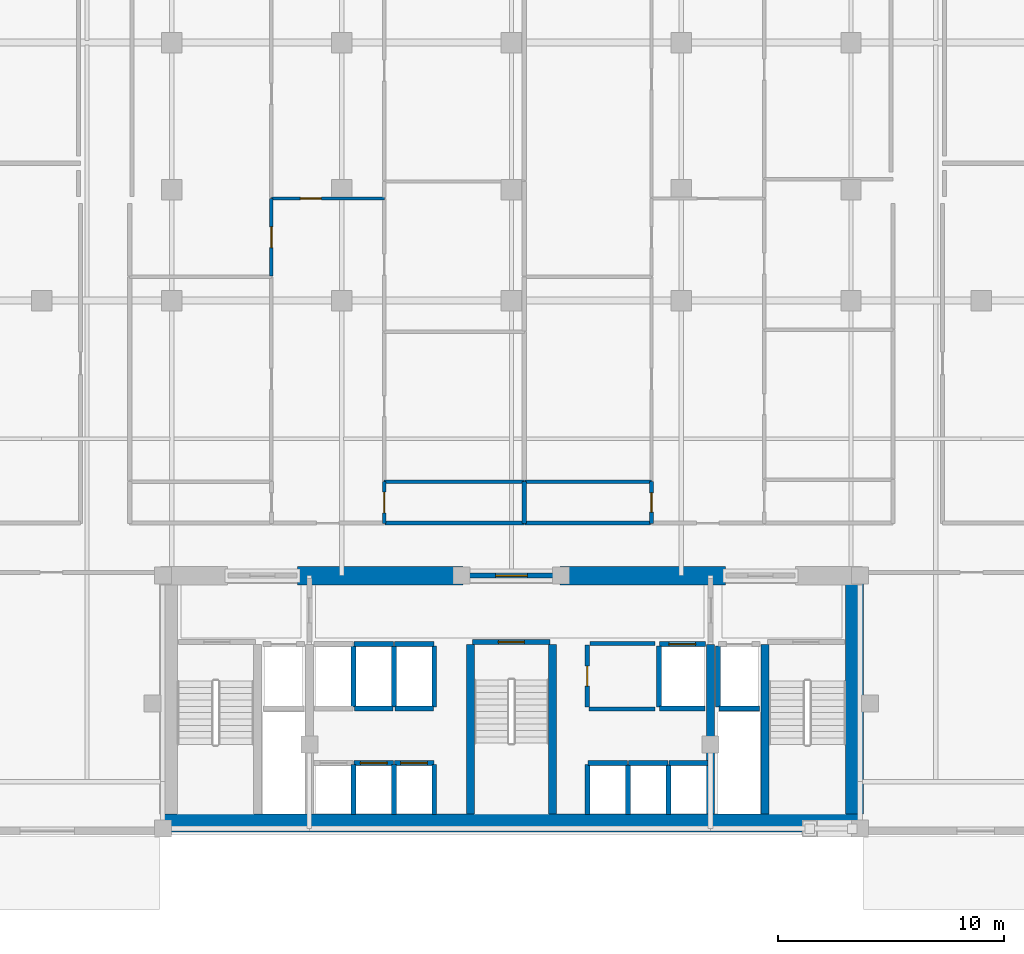
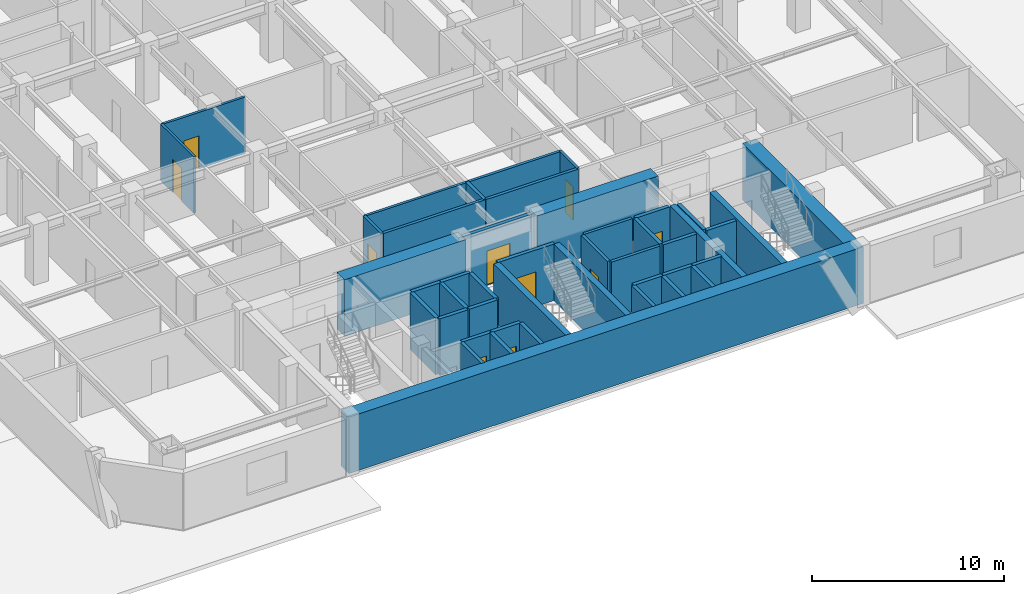
# One storey, part 6 of 11: 45 walls, 10 doors, 10 openings.
"""IFC4 building model written with IfcOpenShell, lengths in metres."""

from ifc_helpers import new_model, si_unit, direction, frame, frame_2d, origin, place, context, subcontext, project, spatial, rectangle, extrude, material, layer, layer_set, type_object, element, fill, save


model = new_model("IFC4")

# Units and contexts
model_context = context("Model", 3, precision=1e-05, world=origin(), true_north=direction((0.0, 1.0)))
body_context = subcontext(model_context, "Body", "Model", "MODEL_VIEW")
ifc_project = project(units=[si_unit("LENGTHUNIT", "METRE"), si_unit("AREAUNIT", "SQUARE_METRE"), si_unit("VOLUMEUNIT", "CUBIC_METRE"), si_unit("PLANEANGLEUNIT", "RADIAN"), si_unit("MASSUNIT", "GRAM", prefix="KILO")], contexts=[model_context])

# Site, building, storey
site_placement = place(None, origin())
site = spatial("IfcSite", under=ifc_project, at=site_placement, CompositionType="ELEMENT")
building_placement = place(site_placement, origin())
building = spatial("IfcBuilding", under=site, at=building_placement, Name="Ventersveld Concourse Tower", CompositionType="ELEMENT")
storey_placement = place(building_placement, frame((0.0, 0.0, 29.800048828125)))
storey = spatial("IfcBuildingStorey", under=building, at=storey_placement, Name="L06", CompositionType="ELEMENT", Elevation=29.800048828125)

# Walls
ifc_material_1 = material(Name="Concrete C60/75", Category="concrete")
ifc_layer_1 = layer(ifc_material_1, 0.35009765625)
ifc_layer_set_1 = layer_set([ifc_layer_1], Name="Concrete C60/75")
wall_type_1 = type_object("IfcWallType", Name="WL-CORE-350L", PredefinedType="SHEAR", material=ifc_layer_set_1)
for number, where, z_axis, x_axis, name in (
    (1, (26.93994140625, 0.919921875, 0.0), (0.0, 0.0, 1.0), (0.0, 1.0, 0.0), "L06 Core Internal Shear Web W-ST3-W"),
    (2, (30.56005859375, 0.919921875, 0.0), (0.0, 0.0, 1.0), (0.0, 1.0, 0.0), "L06 Core Internal Shear Web W-ST3-E"),
    (3, (37.550048828125, 0.919921875, 0.0), (0.0, 0.0, 1.0), (0.0, 1.0, 0.0), "L06 Core Internal Shear Web W-SVL-W"),
    (4, (39.9599609375, 0.919921875, 0.0), (0.0, 0.0, 1.0), (0.0, 1.0, 0.0), "L06 Core Internal Shear Web W-ST2-W"),
):
    element("IfcWall", number, at=place(storey_placement, frame(where, z_axis=z_axis, x_axis=x_axis)), inside=storey, type_object=wall_type_1, Name=name, PredefinedType="SHEAR", context=body_context, shape_type="SweptSolid", body=[
        extrude(rectangle(XDim=7.5, YDim=0.35009765625, at=frame_2d((3.75, 0.0))), origin(), (0.0, 0.0, 1.0), 3.599853515625),
    ])
ifc_layer_2 = layer(ifc_material_1, 0.800048828125)
ifc_layer_set_2 = layer_set([ifc_layer_2], Name="Concrete C60/75")
wall_type_2 = type_object("IfcWallType", Name="WL-CORE-800", PredefinedType="SHEAR", material=ifc_layer_set_2)
wall_1_placement = place(storey_placement, frame((13.25, 0.52001953125, 0.0), z_axis=(0.0, 0.0, 1.0), x_axis=(1.0, 0.0, 0.0)))
element("IfcWall", 5, at=wall_1_placement, inside=storey, type_object=wall_type_2, Name="L06 Rear Core South Shear Wall", PredefinedType="SHEAR", context=body_context, shape_type="SweptSolid", body=[
    extrude(rectangle(XDim=31.0, YDim=0.800048828125, at=frame_2d((15.5, 0.0))), origin(), (0.0, 0.0, 1.0), 3.599853515625),
])
wall_2_placement = place(storey_placement, frame((43.89990234375, 0.919921875, 0.0), z_axis=(0.0, 0.0, 1.0), x_axis=(0.0, 1.0, 0.0)))
element("IfcWall", 6, at=wall_2_placement, inside=storey, type_object=wall_type_2, Name="L06 Rear Core East Shear Wall", PredefinedType="SHEAR", context=body_context, shape_type="SweptSolid", body=[
    extrude(rectangle(XDim=10.530029296875, YDim=0.800048828125, at=frame_2d((5.26513671875, 0.0))), origin(), (0.0, 0.0, 1.0), 3.599853515625),
])
for number, where, z_axis, x_axis, name in (
    (7, (19.300048828125, 11.449951171875, 0.0), (0.0, 0.0, 1.0), (1.0, 0.0, 0.0), "L06 Rear Core North Shear Wall NML"),
    (8, (30.89990234375, 11.449951171875, 0.0), (0.0, 0.0, 1.0), (1.0, 0.0, 0.0), "L06 Rear Core North Shear Wall NMR"),
):
    element("IfcWall", number, at=place(storey_placement, frame(where, z_axis=z_axis, x_axis=x_axis)), inside=storey, type_object=wall_type_2, Name=name, PredefinedType="SHEAR", context=body_context, shape_type="SweptSolid", body=[
        extrude(rectangle(XDim=7.300048828125, YDim=0.800048828125, at=frame_2d((3.64990234375, 0.0))), origin(), (0.0, 0.0, 1.0), 3.599853515625),
    ])

# Wall, opening, door
ifc_material_2 = material(Name="Fire-rated autoclaved aerated masonry blockwork", Category="masonry")
ifc_layer_3 = layer(ifc_material_2, 0.179931640625)
ifc_layer_set_3 = layer_set([ifc_layer_3], Name="Fire-rated autoclaved aerated masonry blockwork")
wall_type_3 = type_object("IfcWallType", Name="WL-CORR-180", PredefinedType="PARTITIONING", material=ifc_layer_set_3)
wall_3_placement = place(storey_placement, frame((32.10009765625, 5.64990234375, 0.0), z_axis=(0.0, 0.0, 1.0), x_axis=(0.0, 1.0, 0.0)))
wall_3 = element("IfcWall", 9, at=wall_3_placement, inside=storey, type_object=wall_type_3, Name="L06 Core Passage Wall SP-L06-CBAY1", PredefinedType="PARTITIONING", context=body_context, shape_type="SweptSolid", body=[
    extrude(rectangle(XDim=2.72998046875, YDim=0.179931640625, at=frame_2d((1.364990234375, 0.0))), origin(), (0.0, 0.0, 1.0), 3.599853515625),
])
opening_1_placement = place(wall_3_placement, frame((0.925048828125, 0.0, 0.0)))
opening_1 = element("IfcOpeningElement", 10, at=opening_1_placement, cuts=wall_3, Name="Opening FD5", PredefinedType="OPENING", context=body_context, shape_type="SweptSolid", body=[
    extrude(rectangle(XDim=0.8798828125, YDim=2.050048828125, at=frame_2d((0.43994140625, 1.02490234375))), frame((0.0, 0.10009765625, 0.0), z_axis=(0.0, -1.0, 0.0), x_axis=(1.0, 0.0, 0.0)), (0.0, 0.0, 1.0), 0.199951171875),
])
ifc_material_3 = material(Name="Galvanised painted steel", Category="steel")
door_type_1 = type_object("IfcDoorType", Name="DR-RISER-088", OperationType="NOTDEFINED", PredefinedType="DOOR", material=ifc_material_3)
door_1_placement = place(opening_1_placement, origin())
door_1 = element("IfcDoor", 11, at=door_1_placement, inside=storey, type_object=door_type_1, Name="L06 Core Room Door L06 Core Housekeeping Linen Store (CD-L06-0184)", OperationType="SINGLE_SWING_LEFT", OverallHeight=2.050048828125, OverallWidth=0.8798828125, PredefinedType="DOOR", context=body_context, shape_type="SweptSolid", body=[
    extrude(rectangle(XDim=0.8798828125, YDim=2.050048828125, at=frame_2d((0.43994140625, 1.02490234375))), frame((0.0, 0.02490234375, 0.0), z_axis=(0.0, -1.0, 0.0), x_axis=(1.0, 0.0, 0.0)), (0.0, 0.0, 1.0), 0.050048828125),
])
fill(opening_1, door_1)

# Walls
wall_4_placement = place(storey_placement, frame((32.219970703125, 8.4599609375, 0.0), z_axis=(0.0, 0.0, 1.0), x_axis=(1.0, 0.0, 0.0)))
element("IfcWall", 12, at=wall_4_placement, inside=storey, type_object=wall_type_3, Name="L06 Core Top Wall SP-L06-CBAY1", PredefinedType="PARTITIONING", context=body_context, shape_type="SweptSolid", body=[
    extrude(rectangle(XDim=2.880126953125, YDim=0.179931640625, at=frame_2d((1.43994140625, 0.0))), origin(), (0.0, 0.0, 1.0), 3.599853515625),
])
wall_5_placement = place(storey_placement, frame((32.179931640625, 5.570068359375, 0.0), z_axis=(0.0, 0.0, 1.0), x_axis=(1.0, 0.0, 0.0)))
element("IfcWall", 13, at=wall_5_placement, inside=storey, type_object=wall_type_3, Name="L06 Core Bot Wall SP-L06-CBAY1", PredefinedType="PARTITIONING", context=body_context, shape_type="SweptSolid", body=[
    extrude(rectangle(XDim=2.920166015625, YDim=0.179931640625, at=frame_2d((1.4599609375, 0.0))), origin(), (0.0, 0.0, 1.0), 3.599853515625),
])
wall_6_placement = place(storey_placement, frame((23.162841796875, 13.77001953125, 0.0), z_axis=(0.0, 0.0, 1.0), x_axis=(1.0, 0.0, 0.0)))
element("IfcWall", 14, at=wall_6_placement, inside=storey, type_object=wall_type_3, Name="L06 Interior Partition SP-L06-COR-SP-L06-06N1-KIT", PredefinedType="PARTITIONING", context=body_context, shape_type="SweptSolid", body=[
    extrude(rectangle(XDim=6.15625, YDim=0.179931640625, at=frame_2d((3.078125, 0.0))), origin(), (0.0, 0.0, 1.0), 3.599853515625),
])
wall_7_placement = place(storey_placement, frame((29.34912109375, 13.77001953125, 0.0), z_axis=(0.0, 0.0, 1.0), x_axis=(1.0, 0.0, 0.0)))
element("IfcWall", 15, at=wall_7_placement, inside=storey, type_object=wall_type_3, Name="L06 Interior Partition SP-L06-COR-SP-L06-06N2-BATH", PredefinedType="PARTITIONING", context=body_context, shape_type="SweptSolid", body=[
    extrude(rectangle(XDim=5.554443359375, YDim=0.179931640625, at=frame_2d((2.77734375, 0.0))), origin(), (0.0, 0.0, 1.0), 3.599853515625),
])
ifc_layer_4 = layer(ifc_material_2, 0.199951171875)
ifc_layer_set_4 = layer_set([ifc_layer_4], Name="Fire-rated autoclaved aerated masonry blockwork")
wall_type_4 = type_object("IfcWallType", Name="WL-DEMISE-200", PredefinedType="PARTITIONING", material=ifc_layer_set_4)
wall_8_placement = place(storey_placement, frame((29.314208984375, 13.764892578125, 0.0), z_axis=(0.0, 0.0, 1.0), x_axis=(0.0, 1.0, 0.0)))
element("IfcWall", 16, at=wall_8_placement, inside=storey, type_object=wall_type_4, Name="L06 Interior Partition SP-L06-06N1-KIT-SP-L06-06N2-BATH", PredefinedType="PARTITIONING", context=body_context, shape_type="SweptSolid", body=[
    extrude(rectangle(XDim=1.840087890625, YDim=0.199951171875, at=frame_2d((0.919921875, 0.0))), origin(), (0.0, 0.0, 1.0), 3.599853515625),
])
ifc_layer_5 = layer(ifc_material_2, 0.219970703125)
ifc_layer_set_5 = layer_set([ifc_layer_5], Name="Fire-rated autoclaved aerated masonry blockwork")
wall_type_5 = type_object("IfcWallType", Name="WL-HOIST-220", PredefinedType="SOLIDWALL", material=ifc_layer_set_5)
wall_9_placement = place(storey_placement, frame((37.919921875, 5.590087890625, 0.0), z_axis=(0.0, 0.0, 1.0), x_axis=(1.0, 0.0, 0.0)))
element("IfcWall", 17, at=wall_9_placement, inside=storey, type_object=wall_type_5, Name="L06 Lift Hoistway Back Wall FFL-02", PredefinedType="SOLIDWALL", context=body_context, shape_type="SweptSolid", body=[
    extrude(rectangle(XDim=1.780029296875, YDim=0.219970703125, at=frame_2d((0.89013671875, 0.0))), origin(), (0.0, 0.0, 1.0), 3.599853515625),
])
wall_10_placement = place(storey_placement, frame((37.8798828125, 5.64990234375, 0.0), z_axis=(0.0, 0.0, 1.0), x_axis=(0.0, 1.0, 0.0)))
element("IfcWall", 18, at=wall_10_placement, inside=storey, type_object=wall_type_5, Name="L06 Lift Hoistway Side Wall FFL-02W", PredefinedType="SOLIDWALL", context=body_context, shape_type="SweptSolid", body=[
    extrude(rectangle(XDim=2.7001953125, YDim=0.219970703125, at=frame_2d((1.35009765625, 0.0))), origin(), (0.0, 0.0, 1.0), 3.599853515625),
])
wall_11_placement = place(storey_placement, frame((35.300048828125, 5.590087890625, 0.0), z_axis=(0.0, 0.0, 1.0), x_axis=(1.0, 0.0, 0.0)))
element("IfcWall", 19, at=wall_11_placement, inside=storey, type_object=wall_type_5, Name="L06 Lift Hoistway Back Wall SVL-01", PredefinedType="SOLIDWALL", context=body_context, shape_type="SweptSolid", body=[
    extrude(rectangle(XDim=2.0, YDim=0.219970703125, at=frame_2d((1.0, 0.0))), origin(), (0.0, 0.0, 1.0), 3.599853515625),
])
wall_12_placement = place(storey_placement, frame((35.260009765625, 5.64990234375, 0.0), z_axis=(0.0, 0.0, 1.0), x_axis=(0.0, 1.0, 0.0)))
element("IfcWall", 20, at=wall_12_placement, inside=storey, type_object=wall_type_5, Name="L06 Lift Hoistway Side Wall SVL-01W", PredefinedType="SOLIDWALL", context=body_context, shape_type="SweptSolid", body=[
    extrude(rectangle(XDim=2.7001953125, YDim=0.219970703125, at=frame_2d((1.35009765625, 0.0))), origin(), (0.0, 0.0, 1.0), 3.599853515625),
])

# Wall, opening, door
wall_13_placement = place(storey_placement, frame((35.280029296875, 8.429931640625, 0.0), z_axis=(0.0, 0.0, 1.0), x_axis=(1.0, 0.0, 0.0)))
wall_13 = element("IfcWall", 21, at=wall_13_placement, inside=storey, type_object=wall_type_5, Name="L06 Lift Hoistway Front Wall SVL-01", PredefinedType="SOLIDWALL", context=body_context, shape_type="SweptSolid", body=[
    extrude(rectangle(XDim=2.0400390625, YDim=0.219970703125, at=frame_2d((1.02001953125, 0.0))), origin(), (0.0, 0.0, 1.0), 3.599853515625),
])
opening_2_placement = place(wall_13_placement, frame((0.429931640625, 0.0, 0.0)))
opening_2 = element("IfcOpeningElement", 22, at=opening_2_placement, cuts=wall_13, Name="Opening LD2", PredefinedType="OPENING", context=body_context, shape_type="SweptSolid", body=[
    extrude(rectangle(XDim=1.179931640625, YDim=2.199951171875, at=frame_2d((0.58984375, 1.10009765625))), frame((0.0, 0.1201171875, 0.0), z_axis=(0.0, -1.0, 0.0), x_axis=(1.0, 0.0, 0.0)), (0.0, 0.0, 1.0), 0.239990234375),
])
ifc_material_4 = material(Name="Brushed stainless steel 316", Category="steel")
door_type_2 = type_object("IfcDoorType", Name="LD-PAX-118", OperationType="SLIDING_TO_LEFT", PredefinedType="DOOR", material=ifc_material_4)
door_2_placement = place(opening_2_placement, origin())
door_2 = element("IfcDoor", 23, at=door_2_placement, inside=storey, type_object=door_type_2, Name="L06 Lift landing door SVL-01 (LD-L06-SVL-01)", OperationType="SLIDING_TO_LEFT", OverallHeight=2.199951171875, OverallWidth=1.179931640625, PredefinedType="DOOR", context=body_context, shape_type="SweptSolid", body=[
    extrude(rectangle(XDim=1.179931640625, YDim=2.199951171875, at=frame_2d((0.58984375, 1.10009765625))), frame((0.0, 0.02490234375, 0.0), z_axis=(0.0, -1.0, 0.0), x_axis=(1.0, 0.0, 0.0)), (0.0, 0.0, 1.0), 0.050048828125),
])
fill(opening_2, door_2)

# Walls
for number, where, z_axis, x_axis, name in (
    (24, (21.780029296875, 0.89990234375, 0.0), (0.0, 0.0, 1.0), (0.0, 1.0, 0.0), "L06 Lift Hoistway Side Wall PL-01E"),
    (25, (23.56005859375, 0.89990234375, 0.0), (0.0, 0.0, 1.0), (0.0, 1.0, 0.0), "L06 Lift Hoistway Side Wall PL-02E"),
):
    element("IfcWall", number, at=place(storey_placement, frame(where, z_axis=z_axis, x_axis=x_axis)), inside=storey, type_object=wall_type_5, Name=name, PredefinedType="SOLIDWALL", context=body_context, shape_type="SweptSolid", body=[
        extrude(rectangle(XDim=2.2001953125, YDim=0.219970703125, at=frame_2d((1.10009765625, 0.0))), origin(), (0.0, 0.0, 1.0), 3.599853515625),
    ])

# Wall, opening, door
wall_14_placement = place(storey_placement, frame((21.800048828125, 3.179931640625, 0.0), z_axis=(0.0, 0.0, 1.0), x_axis=(1.0, 0.0, 0.0)))
wall_14 = element("IfcWall", 26, at=wall_14_placement, inside=storey, type_object=wall_type_5, Name="L06 Lift Hoistway Front Wall PL-02", PredefinedType="SOLIDWALL", context=body_context, shape_type="SweptSolid", body=[
    extrude(rectangle(XDim=1.739990234375, YDim=0.219970703125, at=frame_2d((0.8701171875, 0.0))), origin(), (0.0, 0.0, 1.0), 3.599853515625),
])
opening_3_placement = place(wall_14_placement, frame((0.280029296875, 0.0, 0.0)))
opening_3 = element("IfcOpeningElement", 27, at=opening_3_placement, cuts=wall_14, Name="Opening LD2", PredefinedType="OPENING", context=body_context, shape_type="SweptSolid", body=[
    extrude(rectangle(XDim=1.179931640625, YDim=2.199951171875, at=frame_2d((0.58984375, 1.10009765625))), frame((0.0, 0.1201171875, 0.0), z_axis=(0.0, -1.0, 0.0), x_axis=(1.0, 0.0, 0.0)), (0.0, 0.0, 1.0), 0.239990234375),
])
door_3_placement = place(opening_3_placement, origin())
door_3 = element("IfcDoor", 28, at=door_3_placement, inside=storey, type_object=door_type_2, Name="L06 Lift landing door PL-02 (LD-L06-PL-02)", OperationType="SLIDING_TO_LEFT", OverallHeight=2.199951171875, OverallWidth=1.179931640625, PredefinedType="DOOR", context=body_context, shape_type="SweptSolid", body=[
    extrude(rectangle(XDim=1.179931640625, YDim=2.199951171875, at=frame_2d((0.58984375, 1.10009765625))), frame((0.0, 0.02490234375, 0.0), z_axis=(0.0, -1.0, 0.0), x_axis=(1.0, 0.0, 0.0)), (0.0, 0.0, 1.0), 0.050048828125),
])
fill(opening_3, door_3)

# Wall
wall_15_placement = place(storey_placement, frame((25.340087890625, 0.89990234375, 0.0), z_axis=(0.0, 0.0, 1.0), x_axis=(0.0, 1.0, 0.0)))
element("IfcWall", 29, at=wall_15_placement, inside=storey, type_object=wall_type_5, Name="L06 Lift Hoistway Side Wall PL-03E", PredefinedType="SOLIDWALL", context=body_context, shape_type="SweptSolid", body=[
    extrude(rectangle(XDim=2.2001953125, YDim=0.219970703125, at=frame_2d((1.10009765625, 0.0))), origin(), (0.0, 0.0, 1.0), 3.599853515625),
])

# Wall, opening, door
wall_16_placement = place(storey_placement, frame((23.580078125, 3.179931640625, 0.0), z_axis=(0.0, 0.0, 1.0), x_axis=(1.0, 0.0, 0.0)))
wall_16 = element("IfcWall", 30, at=wall_16_placement, inside=storey, type_object=wall_type_5, Name="L06 Lift Hoistway Front Wall PL-03", PredefinedType="SOLIDWALL", context=body_context, shape_type="SweptSolid", body=[
    extrude(rectangle(XDim=1.739990234375, YDim=0.219970703125, at=frame_2d((0.8701171875, 0.0))), origin(), (0.0, 0.0, 1.0), 3.599853515625),
])
opening_4_placement = place(wall_16_placement, frame((0.280029296875, 0.0, 0.0)))
opening_4 = element("IfcOpeningElement", 31, at=opening_4_placement, cuts=wall_16, Name="Opening LD2", PredefinedType="OPENING", context=body_context, shape_type="SweptSolid", body=[
    extrude(rectangle(XDim=1.179931640625, YDim=2.199951171875, at=frame_2d((0.58984375, 1.10009765625))), frame((0.0, 0.1201171875, 0.0), z_axis=(0.0, -1.0, 0.0), x_axis=(1.0, 0.0, 0.0)), (0.0, 0.0, 1.0), 0.239990234375),
])
door_4_placement = place(opening_4_placement, origin())
door_4 = element("IfcDoor", 32, at=door_4_placement, inside=storey, type_object=door_type_2, Name="L06 Lift landing door PL-03 (LD-L06-PL-03)", OperationType="SLIDING_TO_RIGHT", OverallHeight=2.199951171875, OverallWidth=1.179931640625, PredefinedType="DOOR", context=body_context, shape_type="SweptSolid", body=[
    extrude(rectangle(XDim=1.179931640625, YDim=2.199951171875, at=frame_2d((0.58984375, 1.10009765625))), frame((0.0, 0.02490234375, 0.0), z_axis=(0.0, -1.0, 0.0), x_axis=(1.0, 0.0, 0.0)), (0.0, 0.0, 1.0), 0.050048828125),
])
fill(opening_4, door_4)

# Walls
for number, where, z_axis, x_axis, name in (
    (33, (32.1201171875, 0.89990234375, 0.0), (0.0, 0.0, 1.0), (0.0, 1.0, 0.0), "L06 Lift Hoistway Side Wall PM-01W"),
    (34, (33.89990234375, 0.89990234375, 0.0), (0.0, 0.0, 1.0), (0.0, 1.0, 0.0), "L06 Lift Hoistway Side Wall PM-01E"),
):
    element("IfcWall", number, at=place(storey_placement, frame(where, z_axis=z_axis, x_axis=x_axis)), inside=storey, type_object=wall_type_5, Name=name, PredefinedType="SOLIDWALL", context=body_context, shape_type="SweptSolid", body=[
        extrude(rectangle(XDim=2.2001953125, YDim=0.219970703125, at=frame_2d((1.10009765625, 0.0))), origin(), (0.0, 0.0, 1.0), 3.599853515625),
    ])
wall_17_placement = place(storey_placement, frame((32.139892578125, 3.179931640625, 0.0), z_axis=(0.0, 0.0, 1.0), x_axis=(1.0, 0.0, 0.0)))
element("IfcWall", 35, at=wall_17_placement, inside=storey, type_object=wall_type_5, Name="L06 Lift Hoistway Front Wall PM-01", PredefinedType="SOLIDWALL", context=body_context, shape_type="SweptSolid", body=[
    extrude(rectangle(XDim=1.739990234375, YDim=0.219970703125, at=frame_2d((0.8701171875, 0.0))), origin(), (0.0, 0.0, 1.0), 3.599853515625),
])
wall_18_placement = place(storey_placement, frame((35.679931640625, 0.89990234375, 0.0), z_axis=(0.0, 0.0, 1.0), x_axis=(0.0, 1.0, 0.0)))
element("IfcWall", 36, at=wall_18_placement, inside=storey, type_object=wall_type_5, Name="L06 Lift Hoistway Side Wall PM-02E", PredefinedType="SOLIDWALL", context=body_context, shape_type="SweptSolid", body=[
    extrude(rectangle(XDim=2.2001953125, YDim=0.219970703125, at=frame_2d((1.10009765625, 0.0))), origin(), (0.0, 0.0, 1.0), 3.599853515625),
])
for number, where, z_axis, x_axis, name in (
    (37, (33.919921875, 3.179931640625, 0.0), (0.0, 0.0, 1.0), (1.0, 0.0, 0.0), "L06 Lift Hoistway Front Wall PM-02"),
    (38, (35.699951171875, 3.179931640625, 0.0), (0.0, 0.0, 1.0), (1.0, 0.0, 0.0), "L06 Lift Hoistway Front Wall PM-03"),
):
    element("IfcWall", number, at=place(storey_placement, frame(where, z_axis=z_axis, x_axis=x_axis)), inside=storey, type_object=wall_type_5, Name=name, PredefinedType="SOLIDWALL", context=body_context, shape_type="SweptSolid", body=[
        extrude(rectangle(XDim=1.739990234375, YDim=0.219970703125, at=frame_2d((0.8701171875, 0.0))), origin(), (0.0, 0.0, 1.0), 3.599853515625),
    ])
wall_19_placement = place(storey_placement, frame((21.780029296875, 5.64990234375, 0.0), z_axis=(0.0, 0.0, 1.0), x_axis=(0.0, 1.0, 0.0)))
element("IfcWall", 39, at=wall_19_placement, inside=storey, type_object=wall_type_5, Name="L06 Lift Hoistway Side Wall PH-01E", PredefinedType="SOLIDWALL", context=body_context, shape_type="SweptSolid", body=[
    extrude(rectangle(XDim=2.7001953125, YDim=0.219970703125, at=frame_2d((1.35009765625, 0.0))), origin(), (0.0, 0.0, 1.0), 3.599853515625),
])
wall_20_placement = place(storey_placement, frame((21.820068359375, 5.590087890625, 0.0), z_axis=(0.0, 0.0, 1.0), x_axis=(1.0, 0.0, 0.0)))
element("IfcWall", 40, at=wall_20_placement, inside=storey, type_object=wall_type_5, Name="L06 Lift Hoistway Back Wall PH-02", PredefinedType="SOLIDWALL", context=body_context, shape_type="SweptSolid", body=[
    extrude(rectangle(XDim=1.699951171875, YDim=0.219970703125, at=frame_2d((0.85009765625, 0.0))), origin(), (0.0, 0.0, 1.0), 3.599853515625),
])
wall_21_placement = place(storey_placement, frame((23.56005859375, 5.64990234375, 0.0), z_axis=(0.0, 0.0, 1.0), x_axis=(0.0, 1.0, 0.0)))
element("IfcWall", 41, at=wall_21_placement, inside=storey, type_object=wall_type_5, Name="L06 Lift Hoistway Side Wall PH-02E", PredefinedType="SOLIDWALL", context=body_context, shape_type="SweptSolid", body=[
    extrude(rectangle(XDim=2.7001953125, YDim=0.219970703125, at=frame_2d((1.35009765625, 0.0))), origin(), (0.0, 0.0, 1.0), 3.599853515625),
])
wall_22_placement = place(storey_placement, frame((21.800048828125, 8.429931640625, 0.0), z_axis=(0.0, 0.0, 1.0), x_axis=(1.0, 0.0, 0.0)))
element("IfcWall", 42, at=wall_22_placement, inside=storey, type_object=wall_type_5, Name="L06 Lift Hoistway Front Wall PH-02", PredefinedType="SOLIDWALL", context=body_context, shape_type="SweptSolid", body=[
    extrude(rectangle(XDim=1.739990234375, YDim=0.219970703125, at=frame_2d((0.8701171875, 0.0))), origin(), (0.0, 0.0, 1.0), 3.599853515625),
])
wall_23_placement = place(storey_placement, frame((23.60009765625, 5.590087890625, 0.0), z_axis=(0.0, 0.0, 1.0), x_axis=(1.0, 0.0, 0.0)))
element("IfcWall", 43, at=wall_23_placement, inside=storey, type_object=wall_type_5, Name="L06 Lift Hoistway Back Wall PH-03", PredefinedType="SOLIDWALL", context=body_context, shape_type="SweptSolid", body=[
    extrude(rectangle(XDim=1.699951171875, YDim=0.219970703125, at=frame_2d((0.85009765625, 0.0))), origin(), (0.0, 0.0, 1.0), 3.599853515625),
])
wall_24_placement = place(storey_placement, frame((25.340087890625, 5.64990234375, 0.0), z_axis=(0.0, 0.0, 1.0), x_axis=(0.0, 1.0, 0.0)))
element("IfcWall", 44, at=wall_24_placement, inside=storey, type_object=wall_type_5, Name="L06 Lift Hoistway Side Wall PH-03E", PredefinedType="SOLIDWALL", context=body_context, shape_type="SweptSolid", body=[
    extrude(rectangle(XDim=2.7001953125, YDim=0.219970703125, at=frame_2d((1.35009765625, 0.0))), origin(), (0.0, 0.0, 1.0), 3.599853515625),
])
wall_25_placement = place(storey_placement, frame((23.580078125, 8.429931640625, 0.0), z_axis=(0.0, 0.0, 1.0), x_axis=(1.0, 0.0, 0.0)))
element("IfcWall", 45, at=wall_25_placement, inside=storey, type_object=wall_type_5, Name="L06 Lift Hoistway Front Wall PH-03", PredefinedType="SOLIDWALL", context=body_context, shape_type="SweptSolid", body=[
    extrude(rectangle(XDim=1.739990234375, YDim=0.219970703125, at=frame_2d((0.8701171875, 0.0))), origin(), (0.0, 0.0, 1.0), 3.599853515625),
])

# Wall, opening, door
wall_26_placement = place(storey_placement, frame((27.0400390625, 8.52001953125, 0.0), z_axis=(0.0, 0.0, 1.0), x_axis=(1.0, 0.0, 0.0)))
wall_26 = element("IfcWall", 46, at=wall_26_placement, inside=storey, type_object=wall_type_5, Name="L06 Escape Stair ST03 Fire Wall", PredefinedType="SOLIDWALL", context=body_context, shape_type="SweptSolid", body=[
    extrude(rectangle(XDim=3.419921875, YDim=0.219970703125, at=frame_2d((1.7099609375, 0.0))), origin(), (0.0, 0.0, 1.0), 3.599853515625),
])
opening_5_placement = place(wall_26_placement, frame((1.135009765625, 0.0, 0.0)))
opening_5 = element("IfcOpeningElement", 47, at=opening_5_placement, cuts=wall_26, Name="Opening FD1", PredefinedType="OPENING", context=body_context, shape_type="SweptSolid", body=[
    extrude(rectangle(XDim=1.14990234375, YDim=2.199951171875, at=frame_2d((0.574951171875, 1.10009765625))), frame((0.0, 0.1201171875, 0.0), z_axis=(0.0, -1.0, 0.0), x_axis=(1.0, 0.0, 0.0)), (0.0, 0.0, 1.0), 0.239990234375),
])
door_type_3 = type_object("IfcDoorType", Name="DR-STAIR-115", OperationType="NOTDEFINED", PredefinedType="DOOR", material=ifc_material_3)
door_5_placement = place(opening_5_placement, origin())
door_5 = element("IfcDoor", 48, at=door_5_placement, inside=storey, type_object=door_type_3, Name="L06 Escape Stair Door ST03 (SD-L06-0178)", OperationType="SINGLE_SWING_LEFT", OverallHeight=2.199951171875, OverallWidth=1.14990234375, PredefinedType="DOOR", context=body_context, shape_type="SweptSolid", body=[
    extrude(rectangle(XDim=1.14990234375, YDim=2.199951171875, at=frame_2d((0.574951171875, 1.10009765625))), frame((0.0, 0.02490234375, 0.0), z_axis=(0.0, -1.0, 0.0), x_axis=(1.0, 0.0, 0.0)), (0.0, 0.0, 1.0), 0.050048828125),
])
fill(opening_5, door_5)

wall_27_placement = place(storey_placement, frame((26.6298828125, 11.449951171875, 0.0), z_axis=(0.0, 0.0, 1.0), x_axis=(1.0, 0.0, 0.0)))
wall_27 = element("IfcWall", 49, at=wall_27_placement, inside=storey, type_object=wall_type_5, Name="L06 Core North Fire Portal PLOB-OUT", PredefinedType="SOLIDWALL", context=body_context, shape_type="SweptSolid", body=[
    extrude(rectangle(XDim=4.240234375, YDim=0.219970703125, at=frame_2d((2.1201171875, 0.0))), origin(), (0.0, 0.0, 1.0), 3.599853515625),
])
opening_6_placement = place(wall_27_placement, frame((1.419921875, 0.0, 0.0)))
opening_6 = element("IfcOpeningElement", 50, at=opening_6_placement, cuts=wall_27, Name="Opening FD4", PredefinedType="OPENING", context=body_context, shape_type="SweptSolid", body=[
    extrude(rectangle(XDim=1.39990234375, YDim=2.199951171875, at=frame_2d((0.699951171875, 1.10009765625))), frame((0.0, 0.1201171875, 0.0), z_axis=(0.0, -1.0, 0.0), x_axis=(1.0, 0.0, 0.0)), (0.0, 0.0, 1.0), 0.239990234375),
])
door_type_4 = type_object("IfcDoorType", Name="DR-PLANT-140", OperationType="DOUBLE_DOOR_SINGLE_SWING", PredefinedType="DOOR", material=ifc_material_3)
door_6_placement = place(opening_6_placement, origin())
door_6 = element("IfcDoor", 51, at=door_6_placement, inside=storey, type_object=door_type_4, Name="L06 Core Lobby Fire Door PLOB-OUT (FD-L06-0182)", OperationType="DOUBLE_DOOR_SINGLE_SWING", OverallHeight=2.199951171875, OverallWidth=1.39990234375, PredefinedType="DOOR", context=body_context, shape_type="SweptSolid", body=[
    extrude(rectangle(XDim=1.39990234375, YDim=2.199951171875, at=frame_2d((0.699951171875, 1.10009765625))), frame((0.0, 0.02490234375, 0.0), z_axis=(0.0, -1.0, 0.0), x_axis=(1.0, 0.0, 0.0)), (0.0, 0.0, 1.0), 0.050048828125),
])
fill(opening_6, door_6)

ifc_material_5 = material(Name="Autoclaved aerated masonry blockwork", Category="masonry")
ifc_layer_6 = layer(ifc_material_5, 0.14990234375)
ifc_layer_set_6 = layer_set([ifc_layer_6], Name="Autoclaved aerated masonry blockwork")
wall_type_6 = type_object("IfcWallType", Name="WL-INT-150", PredefinedType="PARTITIONING", material=ifc_layer_set_6)
wall_28_placement = place(storey_placement, frame((18.142822265625, 28.11669921875, 0.0), z_axis=(0.0, 0.0, 1.0), x_axis=(1.0, 0.0, 0.0)))
wall_28 = element("IfcWall", 52, at=wall_28_placement, inside=storey, type_object=wall_type_6, Name="L06 Interior Partition SP-L06-06N1-FOY-SP-L06-06N1-LIV", PredefinedType="PARTITIONING", context=body_context, shape_type="SweptSolid", body=[
    extrude(rectangle(XDim=4.989990234375, YDim=0.14990234375, at=frame_2d((2.4951171875, 0.0))), origin(), (0.0, 0.0, 1.0), 3.599853515625),
])
opening_7_placement = place(wall_28_placement, frame((1.28662109375, 0.0, 0.0)))
opening_7 = element("IfcOpeningElement", 53, at=opening_7_placement, cuts=wall_28, Name="Opening ID1", PredefinedType="OPENING", context=body_context, shape_type="SweptSolid", body=[
    extrude(rectangle(XDim=0.919921875, YDim=2.10009765625, at=frame_2d((0.4599609375, 1.050048828125))), frame((0.0, 0.0849609375, 0.0), z_axis=(0.0, -1.0, 0.0), x_axis=(1.0, 0.0, 0.0)), (0.0, 0.0, 1.0), 0.169921875),
])
ifc_material_6 = material(Name="Solid-core hardwood veneer timber", Category="wood")
door_type_5 = type_object("IfcDoorType", Name="DR-ROOM-092", OperationType="NOTDEFINED", PredefinedType="DOOR", material=ifc_material_6)
door_7_placement = place(opening_7_placement, origin())
door_7 = element("IfcDoor", 54, at=door_7_placement, inside=storey, type_object=door_type_5, Name="L06 Interior Door SP-L06-06N1-FOY to SP-L06-06N1-LIV (D-L06-0193)", OperationType="SINGLE_SWING_LEFT", OverallHeight=2.10009765625, OverallWidth=0.919921875, PredefinedType="DOOR", context=body_context, shape_type="SweptSolid", body=[
    extrude(rectangle(XDim=0.919921875, YDim=2.10009765625, at=frame_2d((0.4599609375, 1.050048828125))), frame((0.0, 0.02490234375, 0.0), z_axis=(0.0, -1.0, 0.0), x_axis=(1.0, 0.0, 0.0)), (0.0, 0.0, 1.0), 0.050048828125),
])
fill(opening_7, door_7)

wall_29_placement = place(storey_placement, frame((18.14794921875, 24.684814453125, 0.0), z_axis=(0.0, 0.0, 1.0), x_axis=(0.0, 1.0, 0.0)))
wall_29 = element("IfcWall", 55, at=wall_29_placement, inside=storey, type_object=wall_type_6, Name="L06 Interior Partition SP-L06-06N1-FOY-SP-L06-06N1-DENL2", PredefinedType="PARTITIONING", context=body_context, shape_type="SweptSolid", body=[
    extrude(rectangle(XDim=3.436767578125, YDim=0.14990234375, at=frame_2d((1.71826171875, 0.0))), origin(), (0.0, 0.0, 1.0), 3.599853515625),
])
opening_8_placement = place(wall_29_placement, frame((1.25830078125, 0.0, 0.0)))
opening_8 = element("IfcOpeningElement", 56, at=opening_8_placement, cuts=wall_29, Name="Opening ID1", PredefinedType="OPENING", context=body_context, shape_type="SweptSolid", body=[
    extrude(rectangle(XDim=0.919921875, YDim=2.10009765625, at=frame_2d((0.4599609375, 1.050048828125))), frame((0.0, 0.0849609375, 0.0), z_axis=(0.0, -1.0, 0.0), x_axis=(1.0, 0.0, 0.0)), (0.0, 0.0, 1.0), 0.169921875),
])
door_8_placement = place(opening_8_placement, origin())
door_8 = element("IfcDoor", 57, at=door_8_placement, inside=storey, type_object=door_type_5, Name="L06 Interior Door SP-L06-06N1-FOY to SP-L06-06N1-DENL2 (D-L06-0196)", OperationType="SINGLE_SWING_RIGHT", OverallHeight=2.10009765625, OverallWidth=0.919921875, PredefinedType="DOOR", context=body_context, shape_type="SweptSolid", body=[
    extrude(rectangle(XDim=0.919921875, YDim=2.10009765625, at=frame_2d((0.4599609375, 1.050048828125))), frame((0.0, 0.02490234375, 0.0), z_axis=(0.0, -1.0, 0.0), x_axis=(1.0, 0.0, 0.0)), (0.0, 0.0, 1.0), 0.050048828125),
])
fill(opening_8, door_8)

wall_30_placement = place(storey_placement, frame((23.1279296875, 13.764892578125, 0.0), z_axis=(0.0, 0.0, 1.0), x_axis=(0.0, 1.0, 0.0)))
wall_30 = element("IfcWall", 58, at=wall_30_placement, inside=storey, type_object=wall_type_6, Name="L06 Interior Partition SP-L06-06N1-FOY-SP-L06-06N1-KIT", PredefinedType="PARTITIONING", context=body_context, shape_type="SweptSolid", body=[
    extrude(rectangle(XDim=1.840087890625, YDim=0.14990234375, at=frame_2d((0.919921875, 0.0))), origin(), (0.0, 0.0, 1.0), 3.599853515625),
])
opening_9_placement = place(wall_30_placement, frame((0.4599609375, 0.0, 0.0)))
opening_9 = element("IfcOpeningElement", 59, at=opening_9_placement, cuts=wall_30, Name="Opening ID1", PredefinedType="OPENING", context=body_context, shape_type="SweptSolid", body=[
    extrude(rectangle(XDim=0.919921875, YDim=2.10009765625, at=frame_2d((0.4599609375, 1.050048828125))), frame((0.0, 0.0849609375, 0.0), z_axis=(0.0, -1.0, 0.0), x_axis=(1.0, 0.0, 0.0)), (0.0, 0.0, 1.0), 0.169921875),
])
door_9_placement = place(opening_9_placement, origin())
door_9 = element("IfcDoor", 60, at=door_9_placement, inside=storey, type_object=door_type_5, Name="L06 Interior Door SP-L06-06N1-FOY to SP-L06-06N1-KIT (D-L06-0197)", OperationType="SINGLE_SWING_LEFT", OverallHeight=2.10009765625, OverallWidth=0.919921875, PredefinedType="DOOR", context=body_context, shape_type="SweptSolid", body=[
    extrude(rectangle(XDim=0.919921875, YDim=2.10009765625, at=frame_2d((0.4599609375, 1.050048828125))), frame((0.0, 0.02490234375, 0.0), z_axis=(0.0, -1.0, 0.0), x_axis=(1.0, 0.0, 0.0)), (0.0, 0.0, 1.0), 0.050048828125),
])
fill(opening_9, door_9)

# Wall
wall_31_placement = place(storey_placement, frame((23.122802734375, 15.60009765625, 0.0), z_axis=(0.0, 0.0, 1.0), x_axis=(1.0, 0.0, 0.0)))
element("IfcWall", 61, at=wall_31_placement, inside=storey, type_object=wall_type_6, Name="L06 Interior Partition SP-L06-06N1-KIT-SP-L06-06N1-DENR", PredefinedType="PARTITIONING", context=body_context, shape_type="SweptSolid", body=[
    extrude(rectangle(XDim=6.1962890625, YDim=0.14990234375, at=frame_2d((3.09814453125, 0.0))), origin(), (0.0, 0.0, 1.0), 3.599853515625),
])

# Wall, opening, door
ifc_layer_7 = layer(ifc_material_5, 0.1650390625)
ifc_layer_set_7 = layer_set([ifc_layer_7], Name="Autoclaved aerated masonry blockwork")
wall_type_7 = type_object("IfcWallType", Name="WL-WET-165", PredefinedType="PLUMBINGWALL", material=ifc_layer_set_7)
wall_32_placement = place(storey_placement, frame((34.9384765625, 13.764892578125, 0.0), z_axis=(0.0, 0.0, 1.0), x_axis=(0.0, 1.0, 0.0)))
wall_32 = element("IfcWall", 62, at=wall_32_placement, inside=storey, type_object=wall_type_7, Name="L06 Interior Partition SP-L06-06N2-FOY-SP-L06-06N2-BATH", PredefinedType="PLUMBINGWALL", context=body_context, shape_type="SweptSolid", body=[
    extrude(rectangle(XDim=1.840087890625, YDim=0.1650390625, at=frame_2d((0.919921875, 0.0))), origin(), (0.0, 0.0, 1.0), 3.599853515625),
])
opening_10_placement = place(wall_32_placement, frame((0.4951171875, 0.0, 0.0)))
opening_10 = element("IfcOpeningElement", 63, at=opening_10_placement, cuts=wall_32, Name="Opening ID2", PredefinedType="OPENING", context=body_context, shape_type="SweptSolid", body=[
    extrude(rectangle(XDim=0.85009765625, YDim=2.10009765625, at=frame_2d((0.425048828125, 1.050048828125))), frame((0.0, 0.092529296875, 0.0), z_axis=(0.0, -1.0, 0.0), x_axis=(1.0, 0.0, 0.0)), (0.0, 0.0, 1.0), 0.18505859375),
])
door_type_6 = type_object("IfcDoorType", Name="DR-BATH-085", OperationType="NOTDEFINED", PredefinedType="DOOR", material=ifc_material_6)
door_10_placement = place(opening_10_placement, origin())
door_10 = element("IfcDoor", 64, at=door_10_placement, inside=storey, type_object=door_type_6, Name="L06 Interior Door SP-L06-06N2-FOY to SP-L06-06N2-BATH (D-L06-0206)", OperationType="SINGLE_SWING_RIGHT", OverallHeight=2.10009765625, OverallWidth=0.85009765625, PredefinedType="DOOR", context=body_context, shape_type="SweptSolid", body=[
    extrude(rectangle(XDim=0.85009765625, YDim=2.10009765625, at=frame_2d((0.425048828125, 1.050048828125))), frame((0.0, 0.02490234375, 0.0), z_axis=(0.0, -1.0, 0.0), x_axis=(1.0, 0.0, 0.0)), (0.0, 0.0, 1.0), 0.050048828125),
])
fill(opening_10, door_10)

# Wall
wall_33_placement = place(storey_placement, frame((29.34912109375, 15.60009765625, 0.0), z_axis=(0.0, 0.0, 1.0), x_axis=(1.0, 0.0, 0.0)))
element("IfcWall", 65, at=wall_33_placement, inside=storey, type_object=wall_type_7, Name="L06 Interior Partition SP-L06-06N2-BATH-SP-L06-06N2-DENL", PredefinedType="PLUMBINGWALL", context=body_context, shape_type="SweptSolid", body=[
    extrude(rectangle(XDim=5.594482421875, YDim=0.1650390625, at=frame_2d((2.79736328125, 0.0))), origin(), (0.0, 0.0, 1.0), 3.599853515625),
])

save(model, "model.ifc")
